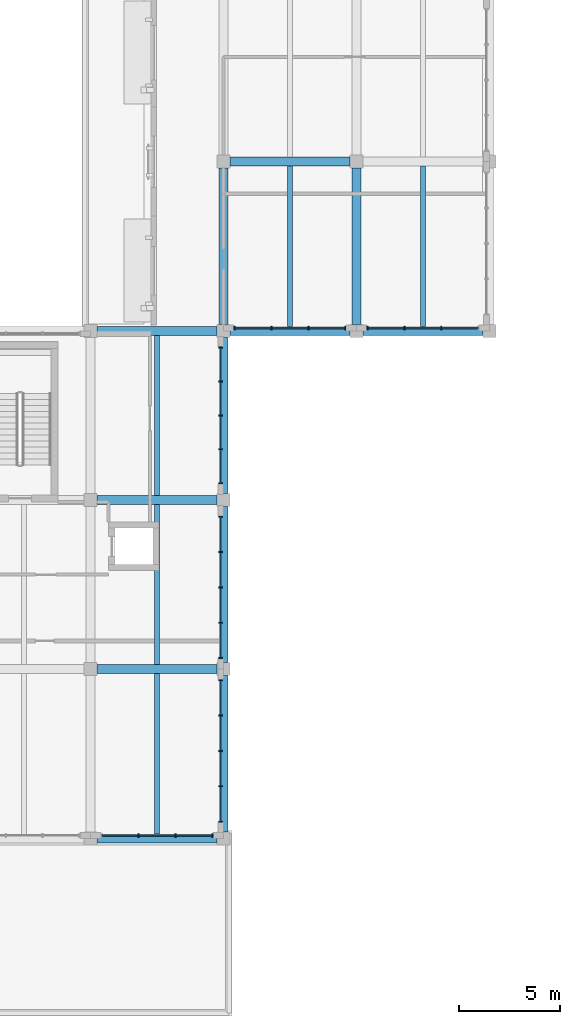
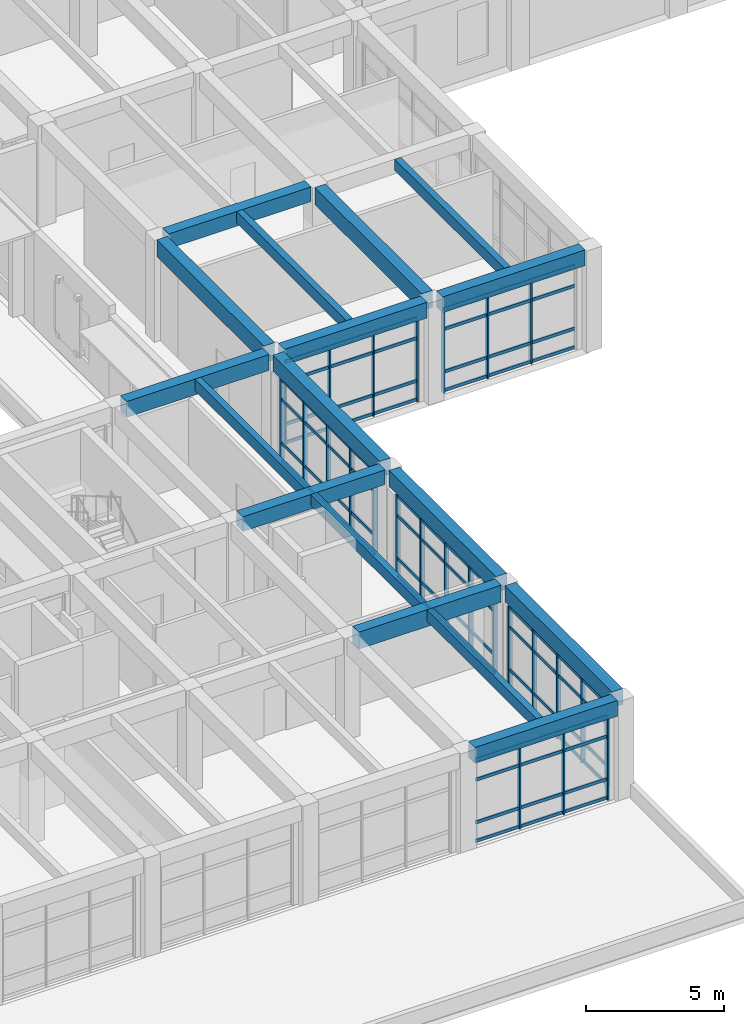
# One storey, part 14 of 50: 49 members, 17 beams, 6 elements without a shape of their own.
"""IFC4 building model written with IfcOpenShell, lengths in metres."""

import ifcopenshell
import ifcopenshell.guid

model = None  # the IFC model being written
_history = None  # IfcOwnerHistory: only IFC2X3 demands one
_inside = {}  # id of a spatial element -> (the spatial element, [elements in it])
_under = {}  # id of a project, library or spatial element -> (it, [spatial elements below it])
_declared = {}  # id of a project -> (the project, [libraries it declares])
_typed = {}  # id of a type object -> (the type object, [elements of that type])
_made_of = {}  # id of a material, layer set ... -> (it, [elements and type objects made of it])


def new_model(schema):
    """Start an empty IFC model of exactly this schema.

    Asked for "IFC4X3", IfcOpenShell would pick the latest addendum, in which some entities
    have other attributes; the version numbers below select the first issue.
    IFC2X3 requires an IfcOwnerHistory on every rooted entity: one is made here for all.
    """
    global model, _history
    if schema == "IFC4X3":
        model = ifcopenshell.file(schema_version=(4, 3, 0, 0))
    else:
        model = ifcopenshell.file(schema=schema)
    _inside.clear()
    _under.clear()
    _declared.clear()
    _typed.clear()
    _made_of.clear()
    _history = None
    if model.schema == "IFC2X3":
        org = make("IfcOrganization", Name="unknown")
        user = make(
            "IfcPersonAndOrganization",
            ThePerson=make("IfcPerson", FamilyName="unknown"),
            TheOrganization=org,
        )
        app = make(
            "IfcApplication",
            ApplicationDeveloper=org,
            Version="unknown",
            ApplicationFullName="unknown",
            ApplicationIdentifier="unknown",
        )
        _history = make(
            "IfcOwnerHistory",
            OwningUser=user,
            OwningApplication=app,
            ChangeAction="ADDED",
            CreationDate=0,
        )
    return model


def make(cls, **values):
    """One entity of the class cls with the attributes given. An attribute that is None is left unset."""
    return model.create_entity(
        cls, **{name: value for name, value in values.items() if value is not None}
    )


def rooted(cls, **values):
    """An entity with a GlobalId (a new one), such as an element, a storey or a relation."""
    return make(cls, GlobalId=ifcopenshell.guid.new(), OwnerHistory=_history, **values)


def si_unit(unit_type, name, prefix=None):
    """IfcSIUnit, for example si_unit("LENGTHUNIT", "METRE", prefix="MILLI")."""
    return make("IfcSIUnit", UnitType=unit_type, Prefix=prefix, Name=name)


def assignment(units):
    """IfcUnitAssignment: the units of a project."""
    return None if units is None else make("IfcUnitAssignment", Units=units)


def point(xyz):
    """IfcCartesianPoint."""
    return None if xyz is None else make("IfcCartesianPoint", Coordinates=xyz)


def direction(xyz):
    """IfcDirection."""
    return None if xyz is None else make("IfcDirection", DirectionRatios=xyz)


def frame(location, z_axis=None, x_axis=None):
    """IfcAxis2Placement3D, a coordinate frame: its origin and axes. An axis left out is left unset."""
    return make(
        "IfcAxis2Placement3D",
        Location=point(location),
        Axis=direction(z_axis),
        RefDirection=direction(x_axis),
    )


def frame_2d(location, x_axis=None):
    """IfcAxis2Placement2D, a coordinate frame in the plane: its origin and x axis."""
    return make(
        "IfcAxis2Placement2D", Location=point(location), RefDirection=direction(x_axis)
    )


def origin():
    """The frame at (0, 0, 0) with its axes left unset."""
    return frame((0.0, 0.0, 0.0))


def origin_2d():
    """The frame at (0, 0) in the plane with its x axis left unset."""
    return frame_2d((0.0, 0.0))


def place(relative_to, where):
    """IfcLocalPlacement: puts the frame where relative to a parent placement (None: the world)."""
    return make(
        "IfcLocalPlacement", PlacementRelTo=relative_to, RelativePlacement=where
    )


def context(
    kind, dimensions, precision=None, world=None, true_north=None, identifier=None
):
    """IfcGeometricRepresentationContext, for example the 3D "Model" context."""
    return make(
        "IfcGeometricRepresentationContext",
        ContextIdentifier=identifier,
        ContextType=kind,
        CoordinateSpaceDimension=dimensions,
        Precision=precision,
        WorldCoordinateSystem=world,
        TrueNorth=true_north,
    )


def subcontext(parent, identifier, kind, view, scale=None):
    """IfcGeometricRepresentationSubContext, for example "Body" below "Model"."""
    return make(
        "IfcGeometricRepresentationSubContext",
        ContextIdentifier=identifier,
        ContextType=kind,
        ParentContext=parent,
        TargetScale=scale,
        TargetView=view,
    )


def project(units=None, contexts=None):
    """IfcProject with its units and contexts."""
    return rooted(
        "IfcProject",
        Name="project",
        RepresentationContexts=contexts,
        UnitsInContext=assignment(units),
    )


def spatial(cls, under=None, at=None, **own):
    """A site, building, storey or space (cls), placed at a placement, below another one or the project."""
    s = rooted(cls, ObjectPlacement=at, **own)
    if under is not None:
        _under.setdefault(under.id(), (under, []))[1].append(s)
    return s


def profile(cls, at=None, kind="AREA", **sizes):
    """A parametric profile (cls). Its sizes go by their IFC names, for example OverallWidth=200.0."""
    return make(cls, ProfileType=kind, Position=at, **sizes)


def rectangle(**sizes):
    """IfcRectangleProfileDef."""
    return profile("IfcRectangleProfileDef", **sizes)


def extrude(swept, where, along, depth):
    """IfcExtrudedAreaSolid: the profile swept, set in the frame where, extruded along a direction by depth."""
    return make(
        "IfcExtrudedAreaSolid",
        SweptArea=swept,
        Position=where,
        ExtrudedDirection=direction(along),
        Depth=depth,
    )


def shape(context_of_items, identifier, shape_type, items):
    """IfcShapeRepresentation: the items that make up one representation, for example the "Body"."""
    return make(
        "IfcShapeRepresentation",
        ContextOfItems=context_of_items,
        RepresentationIdentifier=identifier,
        RepresentationType=shape_type,
        Items=items,
    )


def material(Name=None, Category=None):
    """IfcMaterial."""
    return make("IfcMaterial", Name=Name, Category=Category)


def layer(
    of_material, thickness, ventilated=None, Name=None, Category=None, Priority=None
):
    """IfcMaterialLayer: one layer of a wall or slab, of a material (None: an air gap)."""
    return make(
        "IfcMaterialLayer",
        Material=of_material,
        LayerThickness=thickness,
        IsVentilated=ventilated,
        Name=Name,
        Category=Category,
        Priority=Priority,
    )


def layer_set(layers, Name=None):
    """IfcMaterialLayerSet."""
    return make("IfcMaterialLayerSet", MaterialLayers=layers, LayerSetName=Name)


def material_profile(
    of_material, cross_section, Name=None, Category=None, Priority=None
):
    """IfcMaterialProfile: a cross section and its material."""
    return make(
        "IfcMaterialProfile",
        Name=Name,
        Material=of_material,
        Profile=cross_section,
        Priority=Priority,
        Category=Category,
    )


def profile_set(profiles, Name=None, composite=None):
    """IfcMaterialProfileSet."""
    return make(
        "IfcMaterialProfileSet",
        Name=Name,
        MaterialProfiles=profiles,
        CompositeProfile=composite,
    )


def made_of(thing, what):
    """Note that an element or type object is made of a material, layer set ...; save() writes the relation."""
    if what is not None:
        _made_of.setdefault(what.id(), (what, []))[1].append(thing)
    return thing


def type_object(cls, material=None, **own):
    """A type object (cls), such as IfcWallType, which elements share."""
    return made_of(rooted(cls, **own), material)


def element(
    cls,
    number,
    at=None,
    inside=None,
    cuts=None,
    type_object=None,
    material=None,
    context=None,
    identifier="Body",
    shape_type=None,
    held_by="IfcProductDefinitionShape",
    body=None,
    shapes=None,
    **own,
):
    """One element of the class cls, such as IfcWall. Its Tag is "e" and its number.

    at: its placement. inside: the storey or other place that contains it. cuts: it is an
    opening in that element (IfcRelVoidsElement). A single representation is given by context,
    identifier, shape_type and body (its items); several are given by shapes. held_by: the class
    of the entity that holds the representations. save() writes the other relations.
    """
    e = rooted(cls, Tag="e%d" % number, ObjectPlacement=at, **own)
    if body is not None:
        shapes = [shape(context, identifier, shape_type, body)]
    if shapes is not None:
        e.Representation = make(held_by, Representations=shapes)
    if inside is not None:
        _inside.setdefault(inside.id(), (inside, []))[1].append(e)
    if cuts is not None:
        rooted(
            "IfcRelVoidsElement", RelatingBuildingElement=cuts, RelatedOpeningElement=e
        )
    if type_object is not None:
        _typed.setdefault(type_object.id(), (type_object, []))[1].append(e)
    return made_of(e, material)


def aggregate(whole, parts):
    """IfcRelAggregates: a whole, such as a stair, and the parts it consists of."""
    return rooted("IfcRelAggregates", RelatingObject=whole, RelatedObjects=parts)


def save(model, path):
    """Write the relations noted so far, then the file.

    IfcRelAggregates (storeys below a building ...), IfcRelContainedInSpatialStructure (elements
    in a storey), IfcRelDefinesByType, IfcRelAssociatesMaterial and IfcRelDeclares: one each for
    every whole, place, type object, material and project.
    """
    for whole, parts in _under.values():
        aggregate(whole, parts)
    for where, things in _inside.values():
        rooted(
            "IfcRelContainedInSpatialStructure",
            RelatedElements=things,
            RelatingStructure=where,
        )
    for kind, things in _typed.values():
        rooted("IfcRelDefinesByType", RelatedObjects=things, RelatingType=kind)
    for what, things in _made_of.values():
        rooted("IfcRelAssociatesMaterial", RelatedObjects=things, RelatingMaterial=what)
    for by, libraries in _declared.values():
        rooted("IfcRelDeclares", RelatingContext=by, RelatedDefinitions=libraries)
    model.write(path)


model = new_model("IFC4")

# Units and contexts
model_context = context("Model", 3, precision=1e-05, world=origin(), true_north=direction((0.0, 1.0)))
body_context = subcontext(model_context, "Body", "Model", "MODEL_VIEW")
ifc_project = project(units=[si_unit("LENGTHUNIT", "METRE"), si_unit("AREAUNIT", "SQUARE_METRE"), si_unit("VOLUMEUNIT", "CUBIC_METRE"), si_unit("PLANEANGLEUNIT", "RADIAN"), si_unit("MASSUNIT", "GRAM", prefix="KILO")], contexts=[model_context])

# Site, building, storey
site_placement = place(None, origin())
site = spatial("IfcSite", under=ifc_project, at=site_placement, CompositionType="ELEMENT")
building_placement = place(site_placement, origin())
building = spatial("IfcBuilding", under=site, at=building_placement, Name="Kolvaren Faculty of Natural Sciences", CompositionType="ELEMENT")
storey_placement = place(building_placement, frame((0.0, 0.0, 15.0)))
storey = spatial("IfcBuildingStorey", under=building, at=storey_placement, Name="L03", CompositionType="ELEMENT", Elevation=15.0)

# Curtain wall, members
ifc_material_1 = material(Name="Thermally broken anodised aluminium framing", Category="aluminium")
ifc_layer_1 = layer(ifc_material_1, 0.179931640625)
ifc_layer_set_1 = layer_set([ifc_layer_1], Name="Thermally broken anodised aluminium framing")
curtain_wall_type_1 = type_object("IfcCurtainWallType", Name="CommonsCurtainWall_CW02", PredefinedType="NOTDEFINED", material=ifc_layer_set_1)
curtain_wall_1_placement = place(storey_placement, origin())
curtain_wall_1 = element("IfcCurtainWall", 1, at=curtain_wall_1_placement, inside=storey, type_object=curtain_wall_type_1, Name="L03 unitised curtain wall CW-02 (CW-L03-151)", PredefinedType="NOTDEFINED")
ifc_material_profile_1 = material_profile(ifc_material_1, rectangle(XDim=0.06005859375, YDim=0.179931640625, at=origin_2d()), Name="ALU MUL 60x180")
ifc_profile_set_1 = profile_set([ifc_material_profile_1], Name="Thermally broken anodised aluminium framing")
member_type_1 = type_object("IfcMemberType", Name="CurtainMullion_60x180", PredefinedType="MULLION", material=ifc_profile_set_1)
member_1_placement = place(storey_placement, frame((149.61669921875, 42.340087890625, 0.0), z_axis=(0.0, 0.0, 1.0), x_axis=(-1.0, 0.0, 0.0)))
member_1 = element("IfcMember", 2, at=member_1_placement, type_object=member_type_1, Name="CW-L03-151 vertical mullion 2", PredefinedType="MULLION", context=body_context, shape_type="SweptSolid", body=[
    extrude(rectangle(XDim=0.06005859375, YDim=0.179931640625, at=origin_2d()), origin(), (0.0, 0.0, 1.0), 3.735107421875),
])
member_2_placement = place(storey_placement, frame((147.783203125, 42.340087890625, 0.0), z_axis=(0.0, 0.0, 1.0), x_axis=(-1.0, 0.0, 0.0)))
member_2 = element("IfcMember", 3, at=member_2_placement, type_object=member_type_1, Name="CW-L03-151 vertical mullion 3", PredefinedType="MULLION", context=body_context, shape_type="SweptSolid", body=[
    extrude(rectangle(XDim=0.06005859375, YDim=0.179931640625, at=origin_2d()), origin(), (0.0, 0.0, 1.0), 3.735107421875),
])
member_3_placement = place(storey_placement, frame((145.949951171875, 42.340087890625, 0.0), z_axis=(0.0, 0.0, 1.0), x_axis=(-1.0, 0.0, 0.0)))
member_3 = element("IfcMember", 4, at=member_3_placement, type_object=member_type_1, Name="CW-L03-151 vertical mullion 4", PredefinedType="MULLION", context=body_context, shape_type="SweptSolid", body=[
    extrude(rectangle(XDim=0.06005859375, YDim=0.179931640625, at=origin_2d()), origin(), (0.0, 0.0, 1.0), 3.735107421875),
])

curtain_wall_2_placement = place(storey_placement, origin())
curtain_wall_2 = element("IfcCurtainWall", 5, at=curtain_wall_2_placement, inside=storey, type_object=curtain_wall_type_1, Name="L03 unitised curtain wall CW-02 (CW-L03-152)", PredefinedType="NOTDEFINED")
member_4_placement = place(storey_placement, frame((144.85009765625, 42.340087890625, 0.0), z_axis=(0.0, 0.0, 1.0), x_axis=(-1.0, 0.0, 0.0)))
member_4 = element("IfcMember", 6, at=member_4_placement, type_object=member_type_1, Name="CW-L03-152 vertical mullion 1", PredefinedType="MULLION", context=body_context, shape_type="SweptSolid", body=[
    extrude(rectangle(XDim=0.06005859375, YDim=0.179931640625, at=origin_2d()), origin(), (0.0, 0.0, 1.0), 3.735107421875),
])
member_5_placement = place(storey_placement, frame((143.0166015625, 42.340087890625, 0.0), z_axis=(0.0, 0.0, 1.0), x_axis=(-1.0, 0.0, 0.0)))
member_5 = element("IfcMember", 7, at=member_5_placement, type_object=member_type_1, Name="CW-L03-152 vertical mullion 2", PredefinedType="MULLION", context=body_context, shape_type="SweptSolid", body=[
    extrude(rectangle(XDim=0.06005859375, YDim=0.179931640625, at=origin_2d()), origin(), (0.0, 0.0, 1.0), 3.735107421875),
])
member_6_placement = place(storey_placement, frame((141.183349609375, 42.340087890625, 0.0), z_axis=(0.0, 0.0, 1.0), x_axis=(-1.0, 0.0, 0.0)))
member_6 = element("IfcMember", 8, at=member_6_placement, type_object=member_type_1, Name="CW-L03-152 vertical mullion 3", PredefinedType="MULLION", context=body_context, shape_type="SweptSolid", body=[
    extrude(rectangle(XDim=0.06005859375, YDim=0.179931640625, at=origin_2d()), origin(), (0.0, 0.0, 1.0), 3.735107421875),
])
member_7_placement = place(storey_placement, frame((139.35009765625, 42.340087890625, 0.0), z_axis=(0.0, 0.0, 1.0), x_axis=(-1.0, 0.0, 0.0)))
member_7 = element("IfcMember", 9, at=member_7_placement, type_object=member_type_1, Name="CW-L03-152 vertical mullion 4", PredefinedType="MULLION", context=body_context, shape_type="SweptSolid", body=[
    extrude(rectangle(XDim=0.06005859375, YDim=0.179931640625, at=origin_2d()), origin(), (0.0, 0.0, 1.0), 3.735107421875),
])

ifc_layer_2 = layer(ifc_material_1, 0.179931640625)
ifc_layer_set_2 = layer_set([ifc_layer_2], Name="Thermally broken anodised aluminium framing")
curtain_wall_type_2 = type_object("IfcCurtainWallType", Name="TowerNorthCurtainWall_CW03", PredefinedType="NOTDEFINED", material=ifc_layer_set_2)
curtain_wall_3_placement = place(storey_placement, origin())
curtain_wall_3 = element("IfcCurtainWall", 10, at=curtain_wall_3_placement, inside=storey, type_object=curtain_wall_type_2, Name="L03 unitised curtain wall CW-03 (CW-L03-153)", PredefinedType="NOTDEFINED")
member_8_placement = place(storey_placement, frame((138.659912109375, 41.3701171875, 0.0), z_axis=(0.0, 0.0, 1.0), x_axis=(0.0, -1.0, 0.0)))
member_8 = element("IfcMember", 11, at=member_8_placement, type_object=member_type_1, Name="CW-L03-153 vertical mullion 1", PredefinedType="MULLION", context=body_context, shape_type="SweptSolid", body=[
    extrude(rectangle(XDim=0.06005859375, YDim=0.179931640625, at=origin_2d()), origin(), (0.0, 0.0, 1.0), 3.784912109375),
])
member_9_placement = place(storey_placement, frame((138.659912109375, 39.68505859375, 0.0), z_axis=(0.0, 0.0, 1.0), x_axis=(0.0, -1.0, 0.0)))
member_9 = element("IfcMember", 12, at=member_9_placement, type_object=member_type_1, Name="CW-L03-153 vertical mullion 2", PredefinedType="MULLION", context=body_context, shape_type="SweptSolid", body=[
    extrude(rectangle(XDim=0.06005859375, YDim=0.179931640625, at=origin_2d()), origin(), (0.0, 0.0, 1.0), 3.784912109375),
])
member_10_placement = place(storey_placement, frame((138.659912109375, 38.0, 0.0), z_axis=(0.0, 0.0, 1.0), x_axis=(0.0, -1.0, 0.0)))
member_10 = element("IfcMember", 13, at=member_10_placement, type_object=member_type_1, Name="CW-L03-153 vertical mullion 3", PredefinedType="MULLION", context=body_context, shape_type="SweptSolid", body=[
    extrude(rectangle(XDim=0.06005859375, YDim=0.179931640625, at=origin_2d()), origin(), (0.0, 0.0, 1.0), 3.784912109375),
])
member_11_placement = place(storey_placement, frame((138.659912109375, 36.31494140625, 0.0), z_axis=(0.0, 0.0, 1.0), x_axis=(0.0, -1.0, 0.0)))
member_11 = element("IfcMember", 14, at=member_11_placement, type_object=member_type_1, Name="CW-L03-153 vertical mullion 4", PredefinedType="MULLION", context=body_context, shape_type="SweptSolid", body=[
    extrude(rectangle(XDim=0.06005859375, YDim=0.179931640625, at=origin_2d()), origin(), (0.0, 0.0, 1.0), 3.784912109375),
])
member_12_placement = place(storey_placement, frame((138.659912109375, 34.6298828125, 0.0), z_axis=(0.0, 0.0, 1.0), x_axis=(0.0, -1.0, 0.0)))
member_12 = element("IfcMember", 15, at=member_12_placement, type_object=member_type_1, Name="CW-L03-153 vertical mullion 5", PredefinedType="MULLION", context=body_context, shape_type="SweptSolid", body=[
    extrude(rectangle(XDim=0.06005859375, YDim=0.179931640625, at=origin_2d()), origin(), (0.0, 0.0, 1.0), 3.784912109375),
])

curtain_wall_4_placement = place(storey_placement, origin())
curtain_wall_4 = element("IfcCurtainWall", 16, at=curtain_wall_4_placement, inside=storey, type_object=curtain_wall_type_2, Name="L03 unitised curtain wall CW-03 (CW-L03-154)", PredefinedType="NOTDEFINED")
member_13_placement = place(storey_placement, frame((138.659912109375, 32.969970703125, 0.0), z_axis=(0.0, 0.0, 1.0), x_axis=(0.0, -1.0, 0.0)))
member_13 = element("IfcMember", 17, at=member_13_placement, type_object=member_type_1, Name="CW-L03-154 vertical mullion 1", PredefinedType="MULLION", context=body_context, shape_type="SweptSolid", body=[
    extrude(rectangle(XDim=0.06005859375, YDim=0.179931640625, at=origin_2d()), origin(), (0.0, 0.0, 1.0), 3.735107421875),
])
member_14_placement = place(storey_placement, frame((138.659912109375, 31.215087890625, 0.0), z_axis=(0.0, 0.0, 1.0), x_axis=(0.0, -1.0, 0.0)))
member_14 = element("IfcMember", 18, at=member_14_placement, type_object=member_type_1, Name="CW-L03-154 vertical mullion 2", PredefinedType="MULLION", context=body_context, shape_type="SweptSolid", body=[
    extrude(rectangle(XDim=0.06005859375, YDim=0.179931640625, at=origin_2d()), origin(), (0.0, 0.0, 1.0), 3.735107421875),
])
member_15_placement = place(storey_placement, frame((138.659912109375, 29.4599609375, 0.0), z_axis=(0.0, 0.0, 1.0), x_axis=(0.0, -1.0, 0.0)))
member_15 = element("IfcMember", 19, at=member_15_placement, type_object=member_type_1, Name="CW-L03-154 vertical mullion 3", PredefinedType="MULLION", context=body_context, shape_type="SweptSolid", body=[
    extrude(rectangle(XDim=0.06005859375, YDim=0.179931640625, at=origin_2d()), origin(), (0.0, 0.0, 1.0), 3.735107421875),
])
member_16_placement = place(storey_placement, frame((138.659912109375, 27.705078125, 0.0), z_axis=(0.0, 0.0, 1.0), x_axis=(0.0, -1.0, 0.0)))
member_16 = element("IfcMember", 20, at=member_16_placement, type_object=member_type_1, Name="CW-L03-154 vertical mullion 4", PredefinedType="MULLION", context=body_context, shape_type="SweptSolid", body=[
    extrude(rectangle(XDim=0.06005859375, YDim=0.179931640625, at=origin_2d()), origin(), (0.0, 0.0, 1.0), 3.735107421875),
])
member_17_placement = place(storey_placement, frame((138.659912109375, 25.949951171875, 0.0), z_axis=(0.0, 0.0, 1.0), x_axis=(0.0, -1.0, 0.0)))
member_17 = element("IfcMember", 21, at=member_17_placement, type_object=member_type_1, Name="CW-L03-154 vertical mullion 5", PredefinedType="MULLION", context=body_context, shape_type="SweptSolid", body=[
    extrude(rectangle(XDim=0.06005859375, YDim=0.179931640625, at=origin_2d()), origin(), (0.0, 0.0, 1.0), 3.735107421875),
])

curtain_wall_5_placement = place(storey_placement, origin())
curtain_wall_5 = element("IfcCurtainWall", 22, at=curtain_wall_5_placement, inside=storey, type_object=curtain_wall_type_2, Name="L03 unitised curtain wall CW-03 (CW-L03-155)", PredefinedType="NOTDEFINED")
member_18_placement = place(storey_placement, frame((138.659912109375, 24.85009765625, 0.0), z_axis=(0.0, 0.0, 1.0), x_axis=(0.0, -1.0, 0.0)))
member_18 = element("IfcMember", 23, at=member_18_placement, type_object=member_type_1, Name="CW-L03-155 vertical mullion 1", PredefinedType="MULLION", context=body_context, shape_type="SweptSolid", body=[
    extrude(rectangle(XDim=0.06005859375, YDim=0.179931640625, at=origin_2d()), origin(), (0.0, 0.0, 1.0), 3.735107421875),
])
member_19_placement = place(storey_placement, frame((138.659912109375, 23.094970703125, 0.0), z_axis=(0.0, 0.0, 1.0), x_axis=(0.0, -1.0, 0.0)))
member_19 = element("IfcMember", 24, at=member_19_placement, type_object=member_type_1, Name="CW-L03-155 vertical mullion 2", PredefinedType="MULLION", context=body_context, shape_type="SweptSolid", body=[
    extrude(rectangle(XDim=0.06005859375, YDim=0.179931640625, at=origin_2d()), origin(), (0.0, 0.0, 1.0), 3.735107421875),
])
member_20_placement = place(storey_placement, frame((138.659912109375, 21.340087890625, 0.0), z_axis=(0.0, 0.0, 1.0), x_axis=(0.0, -1.0, 0.0)))
member_20 = element("IfcMember", 25, at=member_20_placement, type_object=member_type_1, Name="CW-L03-155 vertical mullion 3", PredefinedType="MULLION", context=body_context, shape_type="SweptSolid", body=[
    extrude(rectangle(XDim=0.06005859375, YDim=0.179931640625, at=origin_2d()), origin(), (0.0, 0.0, 1.0), 3.735107421875),
])
member_21_placement = place(storey_placement, frame((138.659912109375, 19.5849609375, 0.0), z_axis=(0.0, 0.0, 1.0), x_axis=(0.0, -1.0, 0.0)))
member_21 = element("IfcMember", 26, at=member_21_placement, type_object=member_type_1, Name="CW-L03-155 vertical mullion 4", PredefinedType="MULLION", context=body_context, shape_type="SweptSolid", body=[
    extrude(rectangle(XDim=0.06005859375, YDim=0.179931640625, at=origin_2d()), origin(), (0.0, 0.0, 1.0), 3.735107421875),
])
member_22_placement = place(storey_placement, frame((138.659912109375, 17.830078125, 0.0), z_axis=(0.0, 0.0, 1.0), x_axis=(0.0, -1.0, 0.0)))
member_22 = element("IfcMember", 27, at=member_22_placement, type_object=member_type_1, Name="CW-L03-155 vertical mullion 5", PredefinedType="MULLION", context=body_context, shape_type="SweptSolid", body=[
    extrude(rectangle(XDim=0.06005859375, YDim=0.179931640625, at=origin_2d()), origin(), (0.0, 0.0, 1.0), 3.735107421875),
])

curtain_wall_6_placement = place(storey_placement, origin())
curtain_wall_6 = element("IfcCurtainWall", 28, at=curtain_wall_6_placement, inside=storey, type_object=curtain_wall_type_1, Name="L03 unitised curtain wall CW-02 (CW-L03-156)", PredefinedType="NOTDEFINED")
member_23_placement = place(storey_placement, frame((138.25, 17.139892578125, 0.0), z_axis=(0.0, 0.0, 1.0), x_axis=(-1.0, 0.0, 0.0)))
member_23 = element("IfcMember", 29, at=member_23_placement, type_object=member_type_1, Name="CW-L03-156 vertical mullion 1", PredefinedType="MULLION", context=body_context, shape_type="SweptSolid", body=[
    extrude(rectangle(XDim=0.06005859375, YDim=0.179931640625, at=origin_2d()), origin(), (0.0, 0.0, 1.0), 3.735107421875),
])
member_24_placement = place(storey_placement, frame((136.416748046875, 17.139892578125, 0.0), z_axis=(0.0, 0.0, 1.0), x_axis=(-1.0, 0.0, 0.0)))
member_24 = element("IfcMember", 30, at=member_24_placement, type_object=member_type_1, Name="CW-L03-156 vertical mullion 2", PredefinedType="MULLION", context=body_context, shape_type="SweptSolid", body=[
    extrude(rectangle(XDim=0.06005859375, YDim=0.179931640625, at=origin_2d()), origin(), (0.0, 0.0, 1.0), 3.735107421875),
])
member_25_placement = place(storey_placement, frame((134.583251953125, 17.139892578125, 0.0), z_axis=(0.0, 0.0, 1.0), x_axis=(-1.0, 0.0, 0.0)))
member_25 = element("IfcMember", 31, at=member_25_placement, type_object=member_type_1, Name="CW-L03-156 vertical mullion 3", PredefinedType="MULLION", context=body_context, shape_type="SweptSolid", body=[
    extrude(rectangle(XDim=0.06005859375, YDim=0.179931640625, at=origin_2d()), origin(), (0.0, 0.0, 1.0), 3.735107421875),
])

# Member
ifc_material_profile_2 = material_profile(ifc_material_1, rectangle(XDim=0.06005859375, YDim=0.139892578125, at=origin_2d()), Name="ALU TRN 60x140")
ifc_profile_set_2 = profile_set([ifc_material_profile_2], Name="Thermally broken anodised aluminium framing")
member_type_2 = type_object("IfcMemberType", Name="CurtainTransom_60x140", PredefinedType="USERDEFINED", material=ifc_profile_set_2)
member_26_placement = place(storey_placement, frame((151.449951171875, 42.340087890625, 0.080078125), z_axis=(-1.0, 0.0, 0.0), x_axis=(0.0, -1.0, 0.0)))
member_26 = element("IfcMember", 32, at=member_26_placement, type_object=member_type_2, Name="CW-L03-151 horizontal transom 1", ObjectType="TRANSOM", PredefinedType="USERDEFINED", context=body_context, shape_type="SweptSolid", body=[
    extrude(rectangle(XDim=0.06005859375, YDim=0.139892578125, at=origin_2d()), origin(), (0.0, 0.0, 1.0), 5.5),
])

member_27_placement = place(storey_placement, frame((151.449951171875, 42.340087890625, 0.89990234375), z_axis=(-1.0, 0.0, 0.0), x_axis=(0.0, -1.0, 0.0)))
member_27 = element("IfcMember", 33, at=member_27_placement, type_object=member_type_2, Name="CW-L03-151 horizontal transom 2", ObjectType="TRANSOM", PredefinedType="USERDEFINED", context=body_context, shape_type="SweptSolid", body=[
    extrude(rectangle(XDim=0.06005859375, YDim=0.139892578125, at=origin_2d()), origin(), (0.0, 0.0, 1.0), 5.5),
])

member_28_placement = place(storey_placement, frame((151.449951171875, 42.340087890625, 2.784912109375), z_axis=(-1.0, 0.0, 0.0), x_axis=(0.0, -1.0, 0.0)))
member_28 = element("IfcMember", 34, at=member_28_placement, type_object=member_type_2, Name="CW-L03-151 horizontal transom 3", ObjectType="TRANSOM", PredefinedType="USERDEFINED", context=body_context, shape_type="SweptSolid", body=[
    extrude(rectangle(XDim=0.06005859375, YDim=0.139892578125, at=origin_2d()), origin(), (0.0, 0.0, 1.0), 5.5),
])

member_29_placement = place(storey_placement, frame((151.449951171875, 42.340087890625, 3.655029296875), z_axis=(-1.0, 0.0, 0.0), x_axis=(0.0, -1.0, 0.0)))
member_29 = element("IfcMember", 35, at=member_29_placement, type_object=member_type_2, Name="CW-L03-151 horizontal transom 4", ObjectType="TRANSOM", PredefinedType="USERDEFINED", context=body_context, shape_type="SweptSolid", body=[
    extrude(rectangle(XDim=0.06005859375, YDim=0.139892578125, at=origin_2d()), origin(), (0.0, 0.0, 1.0), 5.5),
])

aggregate(curtain_wall_1, [member_1, member_2, member_3, member_26, member_27, member_28, member_29])

member_30_placement = place(storey_placement, frame((144.85009765625, 42.340087890625, 0.080078125), z_axis=(-1.0, 0.0, 0.0), x_axis=(0.0, -1.0, 0.0)))
member_30 = element("IfcMember", 36, at=member_30_placement, type_object=member_type_2, Name="CW-L03-152 horizontal transom 1", ObjectType="TRANSOM", PredefinedType="USERDEFINED", context=body_context, shape_type="SweptSolid", body=[
    extrude(rectangle(XDim=0.06005859375, YDim=0.139892578125, at=origin_2d()), origin(), (0.0, 0.0, 1.0), 5.5),
])

member_31_placement = place(storey_placement, frame((144.85009765625, 42.340087890625, 0.89990234375), z_axis=(-1.0, 0.0, 0.0), x_axis=(0.0, -1.0, 0.0)))
member_31 = element("IfcMember", 37, at=member_31_placement, type_object=member_type_2, Name="CW-L03-152 horizontal transom 2", ObjectType="TRANSOM", PredefinedType="USERDEFINED", context=body_context, shape_type="SweptSolid", body=[
    extrude(rectangle(XDim=0.06005859375, YDim=0.139892578125, at=origin_2d()), origin(), (0.0, 0.0, 1.0), 5.5),
])

member_32_placement = place(storey_placement, frame((144.85009765625, 42.340087890625, 2.784912109375), z_axis=(-1.0, 0.0, 0.0), x_axis=(0.0, -1.0, 0.0)))
member_32 = element("IfcMember", 38, at=member_32_placement, type_object=member_type_2, Name="CW-L03-152 horizontal transom 3", ObjectType="TRANSOM", PredefinedType="USERDEFINED", context=body_context, shape_type="SweptSolid", body=[
    extrude(rectangle(XDim=0.06005859375, YDim=0.139892578125, at=origin_2d()), origin(), (0.0, 0.0, 1.0), 5.5),
])

member_33_placement = place(storey_placement, frame((144.85009765625, 42.340087890625, 3.655029296875), z_axis=(-1.0, 0.0, 0.0), x_axis=(0.0, -1.0, 0.0)))
member_33 = element("IfcMember", 39, at=member_33_placement, type_object=member_type_2, Name="CW-L03-152 horizontal transom 4", ObjectType="TRANSOM", PredefinedType="USERDEFINED", context=body_context, shape_type="SweptSolid", body=[
    extrude(rectangle(XDim=0.06005859375, YDim=0.139892578125, at=origin_2d()), origin(), (0.0, 0.0, 1.0), 5.5),
])

aggregate(curtain_wall_2, [member_4, member_5, member_6, member_7, member_30, member_31, member_32, member_33])

member_34_placement = place(storey_placement, frame((138.659912109375, 41.3701171875, 0.080078125), z_axis=(0.0, -1.0, 0.0), x_axis=(1.0, 0.0, 0.0)))
member_34 = element("IfcMember", 40, at=member_34_placement, type_object=member_type_2, Name="CW-L03-153 horizontal transom 1", ObjectType="TRANSOM", PredefinedType="USERDEFINED", context=body_context, shape_type="SweptSolid", body=[
    extrude(rectangle(XDim=0.06005859375, YDim=0.139892578125, at=origin_2d()), origin(), (0.0, 0.0, 1.0), 6.740234375),
])

member_35_placement = place(storey_placement, frame((138.659912109375, 41.3701171875, 0.89990234375), z_axis=(0.0, -1.0, 0.0), x_axis=(1.0, 0.0, 0.0)))
member_35 = element("IfcMember", 41, at=member_35_placement, type_object=member_type_2, Name="CW-L03-153 horizontal transom 2", ObjectType="TRANSOM", PredefinedType="USERDEFINED", context=body_context, shape_type="SweptSolid", body=[
    extrude(rectangle(XDim=0.06005859375, YDim=0.139892578125, at=origin_2d()), origin(), (0.0, 0.0, 1.0), 6.740234375),
])

member_36_placement = place(storey_placement, frame((138.659912109375, 41.3701171875, 2.8349609375), z_axis=(0.0, -1.0, 0.0), x_axis=(1.0, 0.0, 0.0)))
member_36 = element("IfcMember", 42, at=member_36_placement, type_object=member_type_2, Name="CW-L03-153 horizontal transom 3", ObjectType="TRANSOM", PredefinedType="USERDEFINED", context=body_context, shape_type="SweptSolid", body=[
    extrude(rectangle(XDim=0.06005859375, YDim=0.139892578125, at=origin_2d()), origin(), (0.0, 0.0, 1.0), 6.740234375),
])

member_37_placement = place(storey_placement, frame((138.659912109375, 41.3701171875, 3.705078125), z_axis=(0.0, -1.0, 0.0), x_axis=(1.0, 0.0, 0.0)))
member_37 = element("IfcMember", 43, at=member_37_placement, type_object=member_type_2, Name="CW-L03-153 horizontal transom 4", ObjectType="TRANSOM", PredefinedType="USERDEFINED", context=body_context, shape_type="SweptSolid", body=[
    extrude(rectangle(XDim=0.06005859375, YDim=0.139892578125, at=origin_2d()), origin(), (0.0, 0.0, 1.0), 6.740234375),
])

aggregate(curtain_wall_3, [member_8, member_9, member_10, member_11, member_12, member_34, member_35, member_36, member_37])

member_38_placement = place(storey_placement, frame((138.659912109375, 32.969970703125, 0.080078125), z_axis=(0.0, -1.0, 0.0), x_axis=(1.0, 0.0, 0.0)))
member_38 = element("IfcMember", 44, at=member_38_placement, type_object=member_type_2, Name="CW-L03-154 horizontal transom 1", ObjectType="TRANSOM", PredefinedType="USERDEFINED", context=body_context, shape_type="SweptSolid", body=[
    extrude(rectangle(XDim=0.06005859375, YDim=0.139892578125, at=origin_2d()), origin(), (0.0, 0.0, 1.0), 7.02001953125),
])

member_39_placement = place(storey_placement, frame((138.659912109375, 32.969970703125, 0.89990234375), z_axis=(0.0, -1.0, 0.0), x_axis=(1.0, 0.0, 0.0)))
member_39 = element("IfcMember", 45, at=member_39_placement, type_object=member_type_2, Name="CW-L03-154 horizontal transom 2", ObjectType="TRANSOM", PredefinedType="USERDEFINED", context=body_context, shape_type="SweptSolid", body=[
    extrude(rectangle(XDim=0.06005859375, YDim=0.139892578125, at=origin_2d()), origin(), (0.0, 0.0, 1.0), 7.02001953125),
])

member_40_placement = place(storey_placement, frame((138.659912109375, 32.969970703125, 2.784912109375), z_axis=(0.0, -1.0, 0.0), x_axis=(1.0, 0.0, 0.0)))
member_40 = element("IfcMember", 46, at=member_40_placement, type_object=member_type_2, Name="CW-L03-154 horizontal transom 3", ObjectType="TRANSOM", PredefinedType="USERDEFINED", context=body_context, shape_type="SweptSolid", body=[
    extrude(rectangle(XDim=0.06005859375, YDim=0.139892578125, at=origin_2d()), origin(), (0.0, 0.0, 1.0), 7.02001953125),
])

member_41_placement = place(storey_placement, frame((138.659912109375, 32.969970703125, 3.655029296875), z_axis=(0.0, -1.0, 0.0), x_axis=(1.0, 0.0, 0.0)))
member_41 = element("IfcMember", 47, at=member_41_placement, type_object=member_type_2, Name="CW-L03-154 horizontal transom 4", ObjectType="TRANSOM", PredefinedType="USERDEFINED", context=body_context, shape_type="SweptSolid", body=[
    extrude(rectangle(XDim=0.06005859375, YDim=0.139892578125, at=origin_2d()), origin(), (0.0, 0.0, 1.0), 7.02001953125),
])

aggregate(curtain_wall_4, [member_13, member_14, member_15, member_16, member_17, member_38, member_39, member_40, member_41])

member_42_placement = place(storey_placement, frame((138.659912109375, 24.85009765625, 0.080078125), z_axis=(0.0, -1.0, 0.0), x_axis=(1.0, 0.0, 0.0)))
member_42 = element("IfcMember", 48, at=member_42_placement, type_object=member_type_2, Name="CW-L03-155 horizontal transom 1", ObjectType="TRANSOM", PredefinedType="USERDEFINED", context=body_context, shape_type="SweptSolid", body=[
    extrude(rectangle(XDim=0.06005859375, YDim=0.139892578125, at=origin_2d()), origin(), (0.0, 0.0, 1.0), 7.02001953125),
])

member_43_placement = place(storey_placement, frame((138.659912109375, 24.85009765625, 0.89990234375), z_axis=(0.0, -1.0, 0.0), x_axis=(1.0, 0.0, 0.0)))
member_43 = element("IfcMember", 49, at=member_43_placement, type_object=member_type_2, Name="CW-L03-155 horizontal transom 2", ObjectType="TRANSOM", PredefinedType="USERDEFINED", context=body_context, shape_type="SweptSolid", body=[
    extrude(rectangle(XDim=0.06005859375, YDim=0.139892578125, at=origin_2d()), origin(), (0.0, 0.0, 1.0), 7.02001953125),
])

member_44_placement = place(storey_placement, frame((138.659912109375, 24.85009765625, 2.784912109375), z_axis=(0.0, -1.0, 0.0), x_axis=(1.0, 0.0, 0.0)))
member_44 = element("IfcMember", 50, at=member_44_placement, type_object=member_type_2, Name="CW-L03-155 horizontal transom 3", ObjectType="TRANSOM", PredefinedType="USERDEFINED", context=body_context, shape_type="SweptSolid", body=[
    extrude(rectangle(XDim=0.06005859375, YDim=0.139892578125, at=origin_2d()), origin(), (0.0, 0.0, 1.0), 7.02001953125),
])

member_45_placement = place(storey_placement, frame((138.659912109375, 24.85009765625, 3.655029296875), z_axis=(0.0, -1.0, 0.0), x_axis=(1.0, 0.0, 0.0)))
member_45 = element("IfcMember", 51, at=member_45_placement, type_object=member_type_2, Name="CW-L03-155 horizontal transom 4", ObjectType="TRANSOM", PredefinedType="USERDEFINED", context=body_context, shape_type="SweptSolid", body=[
    extrude(rectangle(XDim=0.06005859375, YDim=0.139892578125, at=origin_2d()), origin(), (0.0, 0.0, 1.0), 7.02001953125),
])

aggregate(curtain_wall_5, [member_18, member_19, member_20, member_21, member_22, member_42, member_43, member_44, member_45])

member_46_placement = place(storey_placement, frame((138.25, 17.139892578125, 0.080078125), z_axis=(-1.0, 0.0, 0.0), x_axis=(0.0, -1.0, 0.0)))
member_46 = element("IfcMember", 52, at=member_46_placement, type_object=member_type_2, Name="CW-L03-156 horizontal transom 1", ObjectType="TRANSOM", PredefinedType="USERDEFINED", context=body_context, shape_type="SweptSolid", body=[
    extrude(rectangle(XDim=0.06005859375, YDim=0.139892578125, at=origin_2d()), origin(), (0.0, 0.0, 1.0), 5.5),
])

member_47_placement = place(storey_placement, frame((138.25, 17.139892578125, 0.89990234375), z_axis=(-1.0, 0.0, 0.0), x_axis=(0.0, -1.0, 0.0)))
member_47 = element("IfcMember", 53, at=member_47_placement, type_object=member_type_2, Name="CW-L03-156 horizontal transom 2", ObjectType="TRANSOM", PredefinedType="USERDEFINED", context=body_context, shape_type="SweptSolid", body=[
    extrude(rectangle(XDim=0.06005859375, YDim=0.139892578125, at=origin_2d()), origin(), (0.0, 0.0, 1.0), 5.5),
])

member_48_placement = place(storey_placement, frame((138.25, 17.139892578125, 2.784912109375), z_axis=(-1.0, 0.0, 0.0), x_axis=(0.0, -1.0, 0.0)))
member_48 = element("IfcMember", 54, at=member_48_placement, type_object=member_type_2, Name="CW-L03-156 horizontal transom 3", ObjectType="TRANSOM", PredefinedType="USERDEFINED", context=body_context, shape_type="SweptSolid", body=[
    extrude(rectangle(XDim=0.06005859375, YDim=0.139892578125, at=origin_2d()), origin(), (0.0, 0.0, 1.0), 5.5),
])

member_49_placement = place(storey_placement, frame((138.25, 17.139892578125, 3.655029296875), z_axis=(-1.0, 0.0, 0.0), x_axis=(0.0, -1.0, 0.0)))
member_49 = element("IfcMember", 55, at=member_49_placement, type_object=member_type_2, Name="CW-L03-156 horizontal transom 4", ObjectType="TRANSOM", PredefinedType="USERDEFINED", context=body_context, shape_type="SweptSolid", body=[
    extrude(rectangle(XDim=0.06005859375, YDim=0.139892578125, at=origin_2d()), origin(), (0.0, 0.0, 1.0), 5.5),
])

aggregate(curtain_wall_6, [member_23, member_24, member_25, member_46, member_47, member_48, member_49])

# Beams
ifc_material_2 = material(Name="Concrete C35/45", Category="concrete")
ifc_material_profile_3 = material_profile(ifc_material_2, rectangle(XDim=0.449951171875, YDim=0.64990234375, at=origin_2d()), Name="RC BM 450x650")
ifc_profile_set_3 = profile_set([ifc_material_profile_3], Name="Concrete C35/45")
beam_type_1 = type_object("IfcBeamType", Name="GridBeam_450x650", PredefinedType="BEAM", material=ifc_profile_set_3)
beam_1_placement = place(storey_placement, frame((132.52490234375, 33.800048828125, 4.175048828125), z_axis=(1.0, 0.0, 0.0), x_axis=(0.0, 1.0, 0.0)))
element("IfcBeam", 56, at=beam_1_placement, inside=storey, type_object=beam_type_1, Name="L03 beam BM-65 on grid E", PredefinedType="BEAM", context=body_context, shape_type="SweptSolid", body=[
    extrude(rectangle(XDim=0.449951171875, YDim=0.64990234375, at=origin_2d()), origin(), (0.0, 0.0, 1.0), 5.9501953125),
])
beam_2_placement = place(storey_placement, frame((139.125, 50.60009765625, 4.175048828125), z_axis=(1.0, 0.0, 0.0), x_axis=(0.0, 1.0, 0.0)))
element("IfcBeam", 57, at=beam_2_placement, inside=storey, type_object=beam_type_1, Name="L03 beam BM-65 on grid G", PredefinedType="BEAM", context=body_context, shape_type="SweptSolid", body=[
    extrude(rectangle(XDim=0.449951171875, YDim=0.64990234375, at=origin_2d()), origin(), (0.0, 0.0, 1.0), 5.949951171875),
])
ifc_material_profile_4 = material_profile(ifc_material_2, rectangle(XDim=0.260009765625, YDim=0.5, at=origin_2d()), Name="RC JST 260x500")
ifc_profile_set_4 = profile_set([ifc_material_profile_4], Name="Concrete C35/45")
beam_type_2 = type_object("IfcBeamType", Name="LabRibJoist_260x500", PredefinedType="JOIST", material=ifc_profile_set_4)
for number, where, z_axis, x_axis, name in (
    (58, (135.5, 17.22509765625, 4.25), (0.0, 1.0, 0.0), (-1.0, 0.0, 0.0), "L03 ribbed laboratory slab joist JS-50"),
    (59, (135.5, 25.625, 4.25), (0.0, 1.0, 0.0), (-1.0, 0.0, 0.0), "L03 ribbed laboratory slab joist JS-50"),
):
    element("IfcBeam", number, at=place(storey_placement, frame(where, z_axis=z_axis, x_axis=x_axis)), inside=storey, type_object=beam_type_2, Name=name, PredefinedType="JOIST", context=body_context, shape_type="SweptSolid", body=[
        extrude(rectangle(XDim=0.260009765625, YDim=0.5, at=origin_2d()), origin(), (0.0, 0.0, 1.0), 7.949951171875),
    ])
beam_3_placement = place(storey_placement, frame((135.5, 34.02490234375, 4.25), z_axis=(0.0, 1.0, 0.0), x_axis=(-1.0, 0.0, 0.0)))
element("IfcBeam", 60, at=beam_3_placement, inside=storey, type_object=beam_type_2, Name="L03 ribbed laboratory slab joist JS-50", PredefinedType="JOIST", context=body_context, shape_type="SweptSolid", body=[
    extrude(rectangle(XDim=0.260009765625, YDim=0.5, at=origin_2d()), origin(), (0.0, 0.0, 1.0), 7.9501953125),
])
for number, where, z_axis, x_axis, name in (
    (61, (142.10009765625, 42.425048828125, 4.25), (0.0, 1.0, 0.0), (-1.0, 0.0, 0.0), "L03 ribbed laboratory slab joist JS-50"),
    (62, (148.699951171875, 42.425048828125, 4.25), (0.0, 1.0, 0.0), (-1.0, 0.0, 0.0), "L03 ribbed laboratory slab joist JS-50"),
):
    element("IfcBeam", number, at=place(storey_placement, frame(where, z_axis=z_axis, x_axis=x_axis)), inside=storey, type_object=beam_type_2, Name=name, PredefinedType="JOIST", context=body_context, shape_type="SweptSolid", body=[
        extrude(rectangle(XDim=0.260009765625, YDim=0.5, at=origin_2d()), origin(), (0.0, 0.0, 1.0), 7.949951171875),
    ])
ifc_material_profile_5 = material_profile(ifc_material_2, rectangle(XDim=0.449951171875, YDim=0.699951171875, at=origin_2d()), Name="RC SP 450x700")
ifc_profile_set_5 = profile_set([ifc_material_profile_5], Name="Concrete C35/45")
beam_type_3 = type_object("IfcBeamType", Name="PerimeterSpandrel_450x700", PredefinedType="SPANDREL", material=ifc_profile_set_5)
for number, where, z_axis, x_axis, name in (
    (63, (132.52490234375, 17.0, 4.14990234375), (1.0, 0.0, 0.0), (0.0, 1.0, 0.0), "L03 spandrel SP-70 on grid C"),
    (64, (132.52490234375, 42.199951171875, 4.14990234375), (1.0, 0.0, 0.0), (0.0, 1.0, 0.0), "L03 spandrel SP-70 on grid F"),
):
    element("IfcBeam", number, at=place(storey_placement, frame(where, z_axis=z_axis, x_axis=x_axis)), inside=storey, type_object=beam_type_3, Name=name, PredefinedType="SPANDREL", context=body_context, shape_type="SweptSolid", body=[
        extrude(rectangle(XDim=0.449951171875, YDim=0.699951171875, at=origin_2d()), origin(), (0.0, 0.0, 1.0), 5.9501953125),
    ])
for number, where, z_axis, x_axis, name in (
    (65, (139.125, 42.199951171875, 4.14990234375), (1.0, 0.0, 0.0), (0.0, 1.0, 0.0), "L03 spandrel SP-70 on grid F"),
    (66, (145.72509765625, 42.199951171875, 4.14990234375), (1.0, 0.0, 0.0), (0.0, 1.0, 0.0), "L03 spandrel SP-70 on grid F"),
):
    element("IfcBeam", number, at=place(storey_placement, frame(where, z_axis=z_axis, x_axis=x_axis)), inside=storey, type_object=beam_type_3, Name=name, PredefinedType="SPANDREL", context=body_context, shape_type="SweptSolid", body=[
        extrude(rectangle(XDim=0.449951171875, YDim=0.699951171875, at=origin_2d()), origin(), (0.0, 0.0, 1.0), 5.949951171875),
    ])
for number, where, z_axis, x_axis, name in (
    (67, (138.800048828125, 17.324951171875, 4.14990234375), (0.0, 1.0, 0.0), (-1.0, 0.0, 0.0), "L03 girder SP-70 on grid 22"),
    (68, (138.800048828125, 25.72509765625, 4.14990234375), (0.0, 1.0, 0.0), (-1.0, 0.0, 0.0), "L03 girder SP-70 on grid 22"),
    (69, (138.800048828125, 34.125, 4.14990234375), (0.0, 1.0, 0.0), (-1.0, 0.0, 0.0), "L03 girder SP-70 on grid 22"),
):
    element("IfcBeam", number, at=place(storey_placement, frame(where, z_axis=z_axis, x_axis=x_axis)), inside=storey, type_object=beam_type_3, Name=name, PredefinedType="SPANDREL", context=body_context, shape_type="SweptSolid", body=[
        extrude(rectangle(XDim=0.449951171875, YDim=0.699951171875, at=origin_2d()), origin(), (0.0, 0.0, 1.0), 7.75),
    ])
ifc_material_profile_6 = material_profile(ifc_material_2, rectangle(XDim=0.449951171875, YDim=0.75, at=origin_2d()), Name="RC BM 450x750")
ifc_profile_set_6 = profile_set([ifc_material_profile_6], Name="Concrete C35/45")
beam_type_4 = type_object("IfcBeamType", Name="PrimaryGirder_450x750", PredefinedType="BEAM", material=ifc_profile_set_6)
beam_4_placement = place(storey_placement, frame((132.52490234375, 25.39990234375, 4.125), z_axis=(1.0, 0.0, 0.0), x_axis=(0.0, 1.0, 0.0)))
element("IfcBeam", 70, at=beam_4_placement, inside=storey, type_object=beam_type_4, Name="L03 beam BG-75 on grid D", PredefinedType="BEAM", context=body_context, shape_type="SweptSolid", body=[
    extrude(rectangle(XDim=0.449951171875, YDim=0.75, at=origin_2d()), origin(), (0.0, 0.0, 1.0), 5.9501953125),
])
for number, where, z_axis, x_axis, name in (
    (71, (138.800048828125, 42.52490234375, 4.125), (0.0, 1.0, 0.0), (-1.0, 0.0, 0.0), "L03 girder BG-75 on grid 22"),
    (72, (145.39990234375, 42.52490234375, 4.125), (0.0, 1.0, 0.0), (-1.0, 0.0, 0.0), "L03 girder BG-75 on grid 23"),
):
    element("IfcBeam", number, at=place(storey_placement, frame(where, z_axis=z_axis, x_axis=x_axis)), inside=storey, type_object=beam_type_4, Name=name, PredefinedType="BEAM", context=body_context, shape_type="SweptSolid", body=[
        extrude(rectangle(XDim=0.449951171875, YDim=0.75, at=origin_2d()), origin(), (0.0, 0.0, 1.0), 7.75),
    ])

save(model, "model.ifc")
